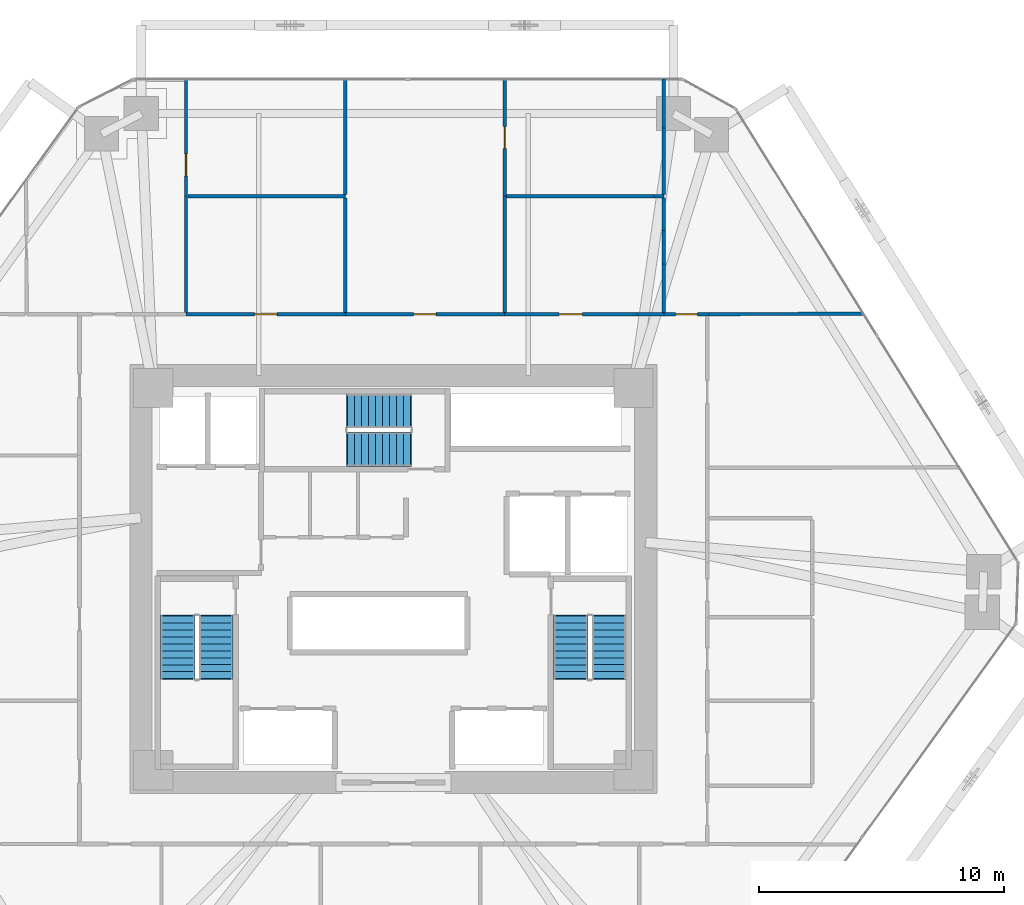
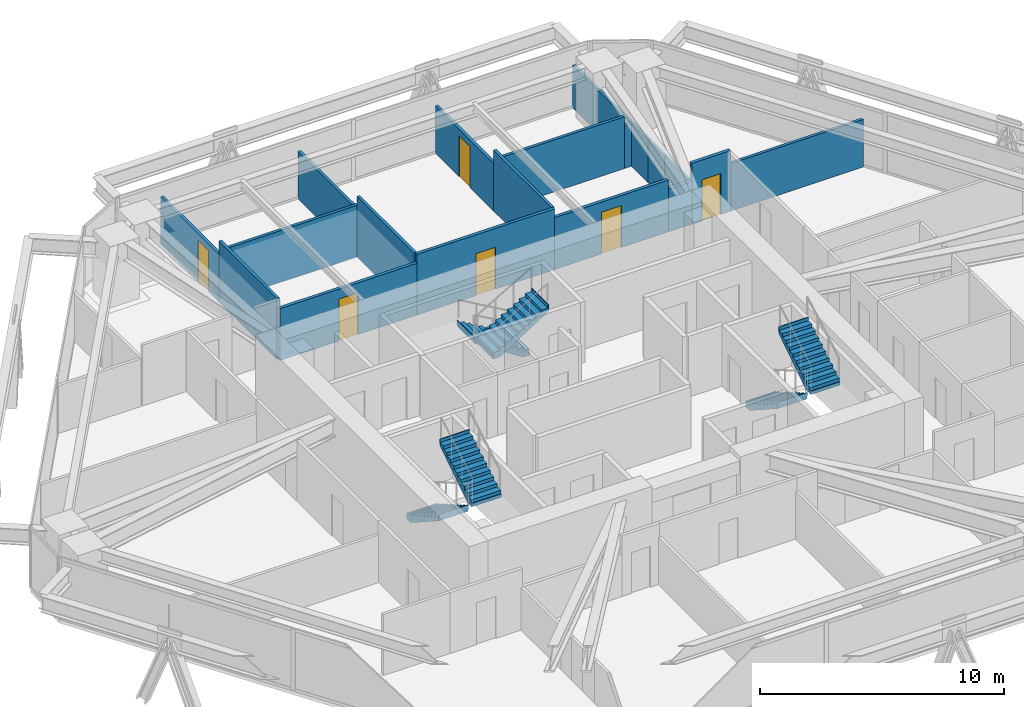
# One storey, part 16 of 17: 20 walls, 6 doors, 6 stair flights, 6 openings, 3 elements without a shape of their own.
"""IFC4 building model written with IfcOpenShell, lengths in metres."""

from ifc_helpers import new_model, si_unit, direction, frame, frame_2d, origin, place, context, subcontext, project, spatial, polyline, rectangle, outline, extrude, source, transform, mapped, material, layer, layer_set, type_object, type_shapes, element, fill, aggregate, save


model = new_model("IFC4")

# Units and contexts
model_context = context("Model", 3, precision=1e-05, world=origin(), true_north=direction((0.0, 1.0)))
body_context = subcontext(model_context, "Body", "Model", "MODEL_VIEW")
ifc_project = project(units=[si_unit("LENGTHUNIT", "METRE"), si_unit("AREAUNIT", "SQUARE_METRE"), si_unit("VOLUMEUNIT", "CUBIC_METRE"), si_unit("PLANEANGLEUNIT", "RADIAN"), si_unit("MASSUNIT", "GRAM", prefix="KILO")], contexts=[model_context])

# Site, building, storey
site_placement = place(None, origin())
site = spatial("IfcSite", under=ifc_project, at=site_placement, CompositionType="ELEMENT")
building_placement = place(site_placement, origin())
building = spatial("IfcBuilding", under=site, at=building_placement, Name="Durnholm Broadcast Tower", CompositionType="ELEMENT")
storey_placement = place(building_placement, frame((0.0, 0.0, 39.0)))
storey = spatial("IfcBuildingStorey", under=building, at=storey_placement, Name="L08", CompositionType="ELEMENT", Elevation=39.0)

# Wall
ifc_material_1 = material(Name="Gypsum Metal Stud Partition", Category="concrete")
ifc_layer_1 = layer(ifc_material_1, 0.135009765625)
ifc_layer_set_1 = layer_set([ifc_layer_1], Name="Gypsum Metal Stud Partition")
wall_type_1 = type_object("IfcWallType", Name="WALL-PART-135", PredefinedType="PARTITIONING", material=ifc_layer_set_1)
wall_1_placement = place(storey_placement, frame((-8.4599609375, 15.625, 0.0), z_axis=(0.0, 0.0, 1.0), x_axis=(0.0, -1.0, 0.0)))
element("IfcWall", 1, at=wall_1_placement, inside=storey, type_object=wall_type_1, Name="L08 room dividing partition 8.9", PredefinedType="PARTITIONING", context=body_context, shape_type="SweptSolid", body=[
    extrude(rectangle(XDim=4.736083984375, YDim=0.135009765625, at=frame_2d((2.3681640625, 0.0))), origin(), (0.0, 0.0, 1.0), 3.044921875),
])

# Wall, opening, door
wall_2_placement = place(storey_placement, frame((-8.4599609375, 20.39990234375, 0.0), z_axis=(0.0, 0.0, 1.0), x_axis=(0.0, -1.0, 0.0)))
wall_2 = element("IfcWall", 2, at=wall_2_placement, inside=storey, type_object=wall_type_1, Name="L08 room dividing partition 8.10", PredefinedType="PARTITIONING", context=body_context, shape_type="SweptSolid", body=[
    extrude(rectangle(XDim=4.77490234375, YDim=0.135009765625, at=frame_2d((2.387451171875, 0.0))), origin(), (0.0, 0.0, 1.0), 2.3798828125),
])
opening_1_placement = place(wall_2_placement, frame((3.050048828125, 0.0, 0.0)))
opening_1 = element("IfcOpeningElement", 3, at=opening_1_placement, cuts=wall_2, Name="Opening DW-90L", PredefinedType="OPENING", context=body_context, shape_type="SweptSolid", body=[
    extrude(rectangle(XDim=0.89990234375, YDim=2.050048828125, at=frame_2d((0.449951171875, 1.02490234375))), frame((0.0, 0.07763671875, 0.0), z_axis=(0.0, -1.0, 0.0), x_axis=(1.0, 0.0, 0.0)), (0.0, 0.0, 1.0), 0.155029296875),
])
ifc_material_2 = material(Name="Laminate Restroom Door", Category="steel")
ifc_layer_2 = layer(ifc_material_2, 0.050048828125)
ifc_layer_set_2 = layer_set([ifc_layer_2], Name="Laminate Restroom Door")
door_type_1 = type_object("IfcDoorType", Name="DOOR-WC-900L", OperationType="NOTDEFINED", PredefinedType="DOOR", material=ifc_layer_set_2)
shared_shape_1 = source(origin(), body_context, "Body", "SweptSolid", [
    extrude(rectangle(XDim=0.89990234375, YDim=2.050048828125, at=frame_2d((0.449951171875, 1.02490234375))), frame((0.0, 0.02490234375, 0.0), z_axis=(0.0, -1.0, 0.0), x_axis=(1.0, 0.0, 0.0)), (0.0, 0.0, 1.0), 0.050048828125),
])
type_shapes(door_type_1, [shared_shape_1])
door_1_placement = place(opening_1_placement, origin())
door_1 = element("IfcDoor", 4, at=door_1_placement, inside=storey, type_object=door_type_1, Name="L08 Audio Mix Office connecting door", OperationType="SINGLE_SWING_LEFT", OverallHeight=2.050048828125, OverallWidth=0.89990234375, PredefinedType="DOOR", context=body_context, shape_type="MappedRepresentation", body=[
    mapped(shared_shape_1, transform((0.0, 0.0, 0.0), x_axis=(1.0, 0.0, 0.0), y_axis=(0.0, 1.0, 0.0), z_axis=(0.0, 0.0, 1.0), scale=1.0)),
])
fill(opening_1, door_1)

# Walls
wall_3_placement = place(storey_placement, frame((-8.388427734375, 15.625, 0.0), z_axis=(0.0, 0.0, 1.0), x_axis=(1.0, 0.0, 0.0)))
element("IfcWall", 5, at=wall_3_placement, inside=storey, type_object=wall_type_1, Name="L08 room dividing partition 9.10", PredefinedType="PARTITIONING", context=body_context, shape_type="SweptSolid", body=[
    extrude(rectangle(XDim=6.428466796875, YDim=0.135009765625, at=frame_2d((3.21435546875, 0.0))), origin(), (0.0, 0.0, 1.0), 2.59765625),
])
wall_4_placement = place(storey_placement, frame((-1.9599609375, 15.553466796875, 0.0), z_axis=(0.0, 0.0, 1.0), x_axis=(0.0, -1.0, 0.0)))
element("IfcWall", 6, at=wall_4_placement, inside=storey, type_object=wall_type_1, Name="L08 room dividing partition 9.11", PredefinedType="PARTITIONING", context=body_context, shape_type="SweptSolid", body=[
    extrude(rectangle(XDim=4.66455078125, YDim=0.135009765625, at=frame_2d((2.332275390625, 0.0))), origin(), (0.0, 0.0, 1.0), 3.044921875),
])
wall_5_placement = place(storey_placement, frame((-1.9599609375, 20.39990234375, 0.0), z_axis=(0.0, 0.0, 1.0), x_axis=(0.0, -1.0, 0.0)))
element("IfcWall", 7, at=wall_5_placement, inside=storey, type_object=wall_type_1, Name="L08 room dividing partition 10.11", PredefinedType="PARTITIONING", context=body_context, shape_type="SweptSolid", body=[
    extrude(rectangle(XDim=4.703369140625, YDim=0.135009765625, at=frame_2d((2.3515625, 0.0))), origin(), (0.0, 0.0, 1.0), 2.3798828125),
])
wall_6_placement = place(storey_placement, frame((4.5400390625, 15.625, 0.0), z_axis=(0.0, 0.0, 1.0), x_axis=(0.0, -1.0, 0.0)))
element("IfcWall", 8, at=wall_6_placement, inside=storey, type_object=wall_type_1, Name="L08 room dividing partition 11.12", PredefinedType="PARTITIONING", context=body_context, shape_type="SweptSolid", body=[
    extrude(rectangle(XDim=4.736083984375, YDim=0.135009765625, at=frame_2d((2.3681640625, 0.0))), origin(), (0.0, 0.0, 1.0), 3.044921875),
])

# Wall, opening, door
wall_7_placement = place(storey_placement, frame((4.5400390625, 20.39990234375, 0.0), z_axis=(0.0, 0.0, 1.0), x_axis=(0.0, -1.0, 0.0)))
wall_7 = element("IfcWall", 9, at=wall_7_placement, inside=storey, type_object=wall_type_1, Name="L08 room dividing partition 11.13", PredefinedType="PARTITIONING", context=body_context, shape_type="SweptSolid", body=[
    extrude(rectangle(XDim=4.77490234375, YDim=0.135009765625, at=frame_2d((2.387451171875, 0.0))), origin(), (0.0, 0.0, 1.0), 2.3798828125),
])
opening_2_placement = place(wall_7_placement, frame((1.9375, 0.0, 0.0)))
opening_2 = element("IfcOpeningElement", 10, at=opening_2_placement, cuts=wall_7, Name="Opening DW-90L", PredefinedType="OPENING", context=body_context, shape_type="SweptSolid", body=[
    extrude(rectangle(XDim=0.89990234375, YDim=2.050048828125, at=frame_2d((0.449951171875, 1.02490234375))), frame((0.0, 0.07763671875, 0.0), z_axis=(0.0, -1.0, 0.0), x_axis=(1.0, 0.0, 0.0)), (0.0, 0.0, 1.0), 0.155029296875),
])
door_2_placement = place(opening_2_placement, origin())
door_2 = element("IfcDoor", 11, at=door_2_placement, inside=storey, type_object=door_type_1, Name="L08 Reporter Office 1 connecting door", OperationType="SINGLE_SWING_LEFT", OverallHeight=2.050048828125, OverallWidth=0.89990234375, PredefinedType="DOOR", context=body_context, shape_type="MappedRepresentation", body=[
    mapped(shared_shape_1, transform((0.0, 0.0, 0.0), x_axis=(1.0, 0.0, 0.0), y_axis=(0.0, 1.0, 0.0), z_axis=(0.0, 0.0, 1.0), scale=1.0)),
])
fill(opening_2, door_2)

# Walls
wall_8_placement = place(storey_placement, frame((4.611572265625, 15.625, 0.0), z_axis=(0.0, 0.0, 1.0), x_axis=(1.0, 0.0, 0.0)))
element("IfcWall", 12, at=wall_8_placement, inside=storey, type_object=wall_type_1, Name="L08 room dividing partition 12.13", PredefinedType="PARTITIONING", context=body_context, shape_type="SweptSolid", body=[
    extrude(rectangle(XDim=6.02294921875, YDim=0.135009765625, at=frame_2d((3.011474609375, 0.0))), origin(), (0.0, 0.0, 1.0), 2.59765625),
])
wall_9_placement = place(storey_placement, frame((10.634521484375, 15.625, 0.0), z_axis=(0.0, 0.0, 1.0), x_axis=(1.0, 0.0, 0.0)))
element("IfcWall", 13, at=wall_9_placement, inside=storey, type_object=wall_type_1, Name="L08 room dividing partition 12.13", PredefinedType="PARTITIONING", context=body_context, shape_type="SweptSolid", body=[
    extrude(rectangle(XDim=0.405517578125, YDim=0.135009765625, at=frame_2d((0.20263671875, 0.0))), origin(), (0.0, 0.0, 1.0), 2.130126953125),
])
wall_10_placement = place(storey_placement, frame((11.0400390625, 14.218505859375, 0.0), z_axis=(0.0, 0.0, 1.0), x_axis=(0.0, -1.0, 0.0)))
element("IfcWall", 14, at=wall_10_placement, inside=storey, type_object=wall_type_1, Name="L08 room dividing partition 12.14", PredefinedType="PARTITIONING", context=body_context, shape_type="SweptSolid", body=[
    extrude(rectangle(XDim=1.3642578125, YDim=0.135009765625, at=frame_2d((0.68212890625, 0.0))), origin(), (0.0, 0.0, 1.0), 2.130126953125),
])
wall_11_placement = place(storey_placement, frame((11.0400390625, 15.553466796875, 0.0), z_axis=(0.0, 0.0, 1.0), x_axis=(0.0, -1.0, 0.0)))
element("IfcWall", 15, at=wall_11_placement, inside=storey, type_object=wall_type_1, Name="L08 room dividing partition 12.14", PredefinedType="PARTITIONING", context=body_context, shape_type="SweptSolid", body=[
    extrude(rectangle(XDim=1.3349609375, YDim=0.135009765625, at=frame_2d((0.66748046875, 0.0))), origin(), (0.0, 0.0, 1.0), 2.130126953125),
])
wall_12_placement = place(storey_placement, frame((11.0400390625, 12.854248046875, 0.0), z_axis=(0.0, 0.0, 1.0), x_axis=(0.0, -1.0, 0.0)))
element("IfcWall", 16, at=wall_12_placement, inside=storey, type_object=wall_type_1, Name="L08 room dividing partition 12.14", PredefinedType="PARTITIONING", context=body_context, shape_type="SweptSolid", body=[
    extrude(rectangle(XDim=1.96533203125, YDim=0.135009765625, at=frame_2d((0.982666015625, 0.0))), origin(), (0.0, 0.0, 1.0), 2.130126953125),
])
wall_13_placement = place(storey_placement, frame((11.0400390625, 20.39990234375, 0.0), z_axis=(0.0, 0.0, 1.0), x_axis=(0.0, -1.0, 0.0)))
element("IfcWall", 17, at=wall_13_placement, inside=storey, type_object=wall_type_1, Name="L08 room dividing partition 13.14", PredefinedType="PARTITIONING", context=body_context, shape_type="SweptSolid", body=[
    extrude(rectangle(XDim=1.990478515625, YDim=0.135009765625, at=frame_2d((0.9951171875, 0.0))), origin(), (0.0, 0.0, 1.0), 2.130126953125),
])
wall_14_placement = place(storey_placement, frame((11.0400390625, 18.409423828125, 0.0), z_axis=(0.0, 0.0, 1.0), x_axis=(0.0, -1.0, 0.0)))
element("IfcWall", 18, at=wall_14_placement, inside=storey, type_object=wall_type_1, Name="L08 room dividing partition 13.14", PredefinedType="PARTITIONING", context=body_context, shape_type="SweptSolid", body=[
    extrude(rectangle(XDim=2.712890625, YDim=0.135009765625, at=frame_2d((1.3564453125, 0.0))), origin(), (0.0, 0.0, 1.0), 2.130126953125),
])
wall_15_placement = place(storey_placement, frame((19.18212890625, 10.831298828125, 0.0), z_axis=(0.0, 0.0, 1.0), x_axis=(-0.999994432845, -0.003336806783, 0.0)))
element("IfcWall", 19, at=wall_15_placement, inside=storey, type_object=wall_type_1, Name="L08 room dividing partition 14.24", PredefinedType="PARTITIONING", context=body_context, shape_type="SweptSolid", body=[
    extrude(rectangle(XDim=6.292236328125, YDim=0.135009765625, at=frame_2d((3.14599609375, 0.0))), origin(), (0.0, 0.0, 1.0), 2.3798828125),
])

# Wall, opening, door
ifc_material_3 = material(Name="Acoustic Gypsum Stud Partition", Category="concrete")
ifc_layer_3 = layer(ifc_material_3, 0.14990234375)
ifc_layer_set_3 = layer_set([ifc_layer_3], Name="Acoustic Gypsum Stud Partition")
wall_type_2 = type_object("IfcWallType", Name="WALL-PART-150", PredefinedType="PARTITIONING", material=ifc_layer_set_3)
wall_16_placement = place(storey_placement, frame((-1.9599609375, 10.81005859375, 0.0), z_axis=(0.0, 0.0, 1.0), x_axis=(-1.0, 0.0, 0.0)))
wall_16 = element("IfcWall", 20, at=wall_16_placement, inside=storey, type_object=wall_type_2, Name="L08 Color Timing Office corridor partition", PredefinedType="PARTITIONING", context=body_context, shape_type="SweptSolid", body=[
    extrude(rectangle(XDim=6.5, YDim=0.14990234375, at=frame_2d((3.25, 0.0))), origin(), (0.0, 0.0, 1.0), 2.59765625),
])
opening_3_placement = place(wall_16_placement, frame((2.7900390625, 0.0, 0.0)))
opening_3 = element("IfcOpeningElement", 21, at=opening_3_placement, cuts=wall_16, Name="Opening DR-92R", PredefinedType="OPENING", context=body_context, shape_type="SweptSolid", body=[
    extrude(rectangle(XDim=0.919921875, YDim=2.10009765625, at=frame_2d((0.4599609375, 1.050048828125))), frame((0.0, 0.0849609375, 0.0), z_axis=(0.0, -1.0, 0.0), x_axis=(1.0, 0.0, 0.0)), (0.0, 0.0, 1.0), 0.169921875),
])
ifc_material_4 = material(Name="Oak Veneer Office Door", Category="wood")
ifc_layer_4 = layer(ifc_material_4, 0.050048828125)
ifc_layer_set_4 = layer_set([ifc_layer_4], Name="Oak Veneer Office Door")
door_type_2 = type_object("IfcDoorType", Name="DOOR-RM-920R", OperationType="NOTDEFINED", PredefinedType="DOOR", material=ifc_layer_set_4)
shared_shape_2 = source(origin(), body_context, "Body", "SweptSolid", [
    extrude(rectangle(XDim=0.919921875, YDim=2.10009765625, at=frame_2d((0.4599609375, 1.050048828125))), frame((0.0, 0.02490234375, 0.0), z_axis=(0.0, -1.0, 0.0), x_axis=(1.0, 0.0, 0.0)), (0.0, 0.0, 1.0), 0.050048828125),
])
type_shapes(door_type_2, [shared_shape_2])
door_3_placement = place(opening_3_placement, origin())
door_3 = element("IfcDoor", 22, at=door_3_placement, inside=storey, type_object=door_type_2, Name="L08 Color Timing Office entrance door", OperationType="SINGLE_SWING_RIGHT", OverallHeight=2.10009765625, OverallWidth=0.919921875, PredefinedType="DOOR", context=body_context, shape_type="MappedRepresentation", body=[
    mapped(shared_shape_2, transform((0.0, 0.0, 0.0), x_axis=(1.0, 0.0, 0.0), y_axis=(0.0, 1.0, 0.0), z_axis=(0.0, 0.0, 1.0), scale=1.0)),
])
fill(opening_3, door_3)

wall_17_placement = place(storey_placement, frame((4.5400390625, 10.81005859375, 0.0), z_axis=(0.0, 0.0, 1.0), x_axis=(-1.0, 0.0, 0.0)))
wall_17 = element("IfcWall", 23, at=wall_17_placement, inside=storey, type_object=wall_type_2, Name="L08 Senior Editor Office corridor partition", PredefinedType="PARTITIONING", context=body_context, shape_type="SweptSolid", body=[
    extrude(rectangle(XDim=6.5, YDim=0.14990234375, at=frame_2d((3.25, 0.0))), origin(), (0.0, 0.0, 1.0), 3.044921875),
])
opening_4_placement = place(wall_17_placement, frame((2.7900390625, 0.0, 0.0)))
opening_4 = element("IfcOpeningElement", 24, at=opening_4_placement, cuts=wall_17, Name="Opening DR-92L", PredefinedType="OPENING", context=body_context, shape_type="SweptSolid", body=[
    extrude(rectangle(XDim=0.919921875, YDim=2.10009765625, at=frame_2d((0.4599609375, 1.050048828125))), frame((0.0, 0.0849609375, 0.0), z_axis=(0.0, -1.0, 0.0), x_axis=(1.0, 0.0, 0.0)), (0.0, 0.0, 1.0), 0.169921875),
])
ifc_layer_5 = layer(ifc_material_4, 0.050048828125)
ifc_layer_set_5 = layer_set([ifc_layer_5], Name="Oak Veneer Office Door")
door_type_3 = type_object("IfcDoorType", Name="DOOR-RM-920L", OperationType="NOTDEFINED", PredefinedType="DOOR", material=ifc_layer_set_5)
shared_shape_3 = source(origin(), body_context, "Body", "SweptSolid", [
    extrude(rectangle(XDim=0.919921875, YDim=2.10009765625, at=frame_2d((0.4599609375, 1.050048828125))), frame((0.0, 0.02490234375, 0.0), z_axis=(0.0, -1.0, 0.0), x_axis=(1.0, 0.0, 0.0)), (0.0, 0.0, 1.0), 0.050048828125),
])
type_shapes(door_type_3, [shared_shape_3])
door_4_placement = place(opening_4_placement, origin())
door_4 = element("IfcDoor", 25, at=door_4_placement, inside=storey, type_object=door_type_3, Name="L08 Senior Editor Office entrance door", OperationType="SINGLE_SWING_LEFT", OverallHeight=2.10009765625, OverallWidth=0.919921875, PredefinedType="DOOR", context=body_context, shape_type="MappedRepresentation", body=[
    mapped(shared_shape_3, transform((0.0, 0.0, 0.0), x_axis=(1.0, 0.0, 0.0), y_axis=(0.0, 1.0, 0.0), z_axis=(0.0, 0.0, 1.0), scale=1.0)),
])
fill(opening_4, door_4)

wall_18_placement = place(storey_placement, frame((9.93310546875, 10.81005859375, 0.0), z_axis=(0.0, 0.0, 1.0), x_axis=(-1.0, 0.0, 0.0)))
wall_18 = element("IfcWall", 26, at=wall_18_placement, inside=storey, type_object=wall_type_2, Name="L08 Anchor Prep Office corridor partition", PredefinedType="PARTITIONING", context=body_context, shape_type="SweptSolid", body=[
    extrude(rectangle(XDim=5.39306640625, YDim=0.14990234375, at=frame_2d((2.696533203125, 0.0))), origin(), (0.0, 0.0, 1.0), 2.59765625),
])
opening_5_placement = place(wall_18_placement, frame((2.2216796875, 0.0, 0.0)))
opening_5 = element("IfcOpeningElement", 27, at=opening_5_placement, cuts=wall_18, Name="Opening DR-95R", PredefinedType="OPENING", context=body_context, shape_type="SweptSolid", body=[
    extrude(rectangle(XDim=0.949951171875, YDim=2.10009765625, at=frame_2d((0.47509765625, 1.050048828125))), frame((0.0, 0.0849609375, 0.0), z_axis=(0.0, -1.0, 0.0), x_axis=(1.0, 0.0, 0.0)), (0.0, 0.0, 1.0), 0.169921875),
])
ifc_material_5 = material(Name="Acoustic Oak Veneer Timber Door", Category="wood")
ifc_layer_6 = layer(ifc_material_5, 0.050048828125)
ifc_layer_set_6 = layer_set([ifc_layer_6], Name="Acoustic Oak Veneer Timber Door")
door_type_4 = type_object("IfcDoorType", Name="DOOR-RM-950R", OperationType="NOTDEFINED", PredefinedType="DOOR", material=ifc_layer_set_6)
shared_shape_4 = source(origin(), body_context, "Body", "SweptSolid", [
    extrude(rectangle(XDim=0.949951171875, YDim=2.10009765625, at=frame_2d((0.47509765625, 1.050048828125))), frame((0.0, 0.02490234375, 0.0), z_axis=(0.0, -1.0, 0.0), x_axis=(1.0, 0.0, 0.0)), (0.0, 0.0, 1.0), 0.050048828125),
])
type_shapes(door_type_4, [shared_shape_4])
door_5_placement = place(opening_5_placement, origin())
door_5 = element("IfcDoor", 28, at=door_5_placement, inside=storey, type_object=door_type_4, Name="L08 Anchor Prep Office entrance door", OperationType="SINGLE_SWING_RIGHT", OverallHeight=2.10009765625, OverallWidth=0.949951171875, PredefinedType="DOOR", context=body_context, shape_type="MappedRepresentation", body=[
    mapped(shared_shape_4, transform((0.0, 0.0, 0.0), x_axis=(1.0, 0.0, 0.0), y_axis=(0.0, 1.0, 0.0), z_axis=(0.0, 0.0, 1.0), scale=1.0)),
])
fill(opening_5, door_5)

# Wall
wall_19_placement = place(storey_placement, frame((11.0400390625, 10.81005859375, 0.0), z_axis=(0.0, 0.0, 1.0), x_axis=(-1.0, 0.0, 0.0)))
element("IfcWall", 29, at=wall_19_placement, inside=storey, type_object=wall_type_2, Name="L08 Anchor Prep Office corridor partition", PredefinedType="PARTITIONING", context=body_context, shape_type="SweptSolid", body=[
    extrude(rectangle(XDim=1.10693359375, YDim=0.14990234375, at=frame_2d((0.553466796875, 0.0))), origin(), (0.0, 0.0, 1.0), 2.130126953125),
])

# Wall, opening, door
wall_20_placement = place(storey_placement, frame((12.889892578125, 10.81005859375, 0.0), z_axis=(0.0, 0.0, 1.0), x_axis=(-1.0, 0.0, 0.0)))
wall_20 = element("IfcWall", 30, at=wall_20_placement, inside=storey, type_object=wall_type_2, Name="L08 Reporter Office 2 corridor partition", PredefinedType="PARTITIONING", context=body_context, shape_type="SweptSolid", body=[
    extrude(rectangle(XDim=1.847412109375, YDim=0.14990234375, at=frame_2d((0.923828125, 0.0))), origin(), (0.0, 0.0, 1.0), 3.044921875),
])
opening_6_placement = place(wall_20_placement, frame((0.4736328125, 0.0, 0.0)))
opening_6 = element("IfcOpeningElement", 31, at=opening_6_placement, cuts=wall_20, Name="Opening DW-90L", PredefinedType="OPENING", context=body_context, shape_type="SweptSolid", body=[
    extrude(rectangle(XDim=0.89990234375, YDim=2.050048828125, at=frame_2d((0.449951171875, 1.02490234375))), frame((0.0, 0.0849609375, 0.0), z_axis=(0.0, -1.0, 0.0), x_axis=(1.0, 0.0, 0.0)), (0.0, 0.0, 1.0), 0.169921875),
])
door_6_placement = place(opening_6_placement, origin())
door_6 = element("IfcDoor", 32, at=door_6_placement, inside=storey, type_object=door_type_1, Name="L08 Reporter Office 2 entrance door", OperationType="SINGLE_SWING_LEFT", OverallHeight=2.050048828125, OverallWidth=0.89990234375, PredefinedType="DOOR", context=body_context, shape_type="MappedRepresentation", body=[
    mapped(shared_shape_1, transform((0.0, 0.0, 0.0), x_axis=(1.0, 0.0, 0.0), y_axis=(0.0, 1.0, 0.0), z_axis=(0.0, 0.0, 1.0), scale=1.0)),
])
fill(opening_6, door_6)

# Stair, stair flights
ifc_material_6 = material(Name="Concrete C50/60", Category="concrete")
stair_type = type_object("IfcStairType", Name="STAIR-DL-20R1650", PredefinedType="HALF_TURN_STAIR", material=ifc_material_6)
stair_1_placement = place(storey_placement, origin())
stair_1 = element("IfcStair", 33, at=stair_1_placement, inside=storey, type_object=stair_type, Name="L08 ST-1", PredefinedType="HALF_TURN_STAIR")
stair_flight_type = type_object("IfcStairFlightType", Name="FLIGHT-DL-20R1650", PredefinedType="STRAIGHT", material=ifc_material_6)
stair_flight_1_placement = place(storey_placement, frame((-8.800048828125, -1.5, 0.0), z_axis=(0.0, 0.0, 1.0), x_axis=(0.0, -1.0, 0.0)))
stair_flight_1 = element("IfcStairFlight", 34, at=stair_flight_1_placement, type_object=stair_flight_type, Name="ST-1 flight 1", NumberOfRisers=10, NumberOfTreads=9, PredefinedType="STRAIGHT", RiserHeight=0.165, TreadLength=0.285, context=body_context, shape_type="SweptSolid", body=[
    extrude(outline(polyline([(-0.0400390625, -0.14990234375), (-0.0400390625, 0.0), (0.0, 0.0), (0.0, 0.1650390625), (0.284912109375, 0.1650390625), (0.284912109375, 0.330078125), (0.570068359375, 0.330078125), (0.570068359375, 0.4951171875), (0.85498046875, 0.4951171875), (0.85498046875, 0.659912109375), (1.139892578125, 0.659912109375), (1.139892578125, 0.824951171875), (1.425048828125, 0.824951171875), (1.425048828125, 0.989990234375), (1.7099609375, 0.989990234375), (1.7099609375, 1.155029296875), (1.9951171875, 1.155029296875), (1.9951171875, 1.320068359375), (2.280029296875, 1.320068359375), (2.280029296875, 1.485107421875), (2.56494140625, 1.485107421875), (2.56494140625, 1.64990234375), (2.60498046875, 1.64990234375), (2.60498046875, 1.5), (2.56494140625, 1.311767578125), (0.299072265625, -0.14990234375), (-0.0400390625, -0.14990234375)])), frame((0.0, 0.699951171875, 0.0), z_axis=(0.0, -1.0, 0.0), x_axis=(1.0, 0.0, 0.0)), (0.0, 0.0, 1.0), 1.39990234375),
])
stair_flight_2_placement = place(storey_placement, frame((-7.239990234375, -4.06494140625, 1.64990234375), z_axis=(0.0, 0.0, 1.0), x_axis=(0.0, 1.0, 0.0)))
stair_flight_2 = element("IfcStairFlight", 35, at=stair_flight_2_placement, type_object=stair_flight_type, Name="ST-1 flight 2", NumberOfRisers=10, NumberOfTreads=9, PredefinedType="STRAIGHT", RiserHeight=0.165, TreadLength=0.285, context=body_context, shape_type="SweptSolid", body=[
    extrude(outline(polyline([(-0.0400390625, -0.14990234375), (-0.0400390625, 0.0), (0.0, 0.0), (0.0, 0.1650390625), (0.284912109375, 0.1650390625), (0.284912109375, 0.330078125), (0.570068359375, 0.330078125), (0.570068359375, 0.4951171875), (0.85498046875, 0.4951171875), (0.85498046875, 0.659912109375), (1.139892578125, 0.659912109375), (1.139892578125, 0.824951171875), (1.425048828125, 0.824951171875), (1.425048828125, 0.989990234375), (1.7099609375, 0.989990234375), (1.7099609375, 1.155029296875), (1.9951171875, 1.155029296875), (1.9951171875, 1.320068359375), (2.280029296875, 1.320068359375), (2.280029296875, 1.485107421875), (2.56494140625, 1.485107421875), (2.56494140625, 1.64990234375), (2.60498046875, 1.64990234375), (2.60498046875, 1.5), (2.56494140625, 1.311767578125), (0.299072265625, -0.14990234375), (-0.0400390625, -0.14990234375)])), frame((0.0, 0.699951171875, 0.0), z_axis=(0.0, -1.0, 0.0), x_axis=(1.0, 0.0, 0.0)), (0.0, 0.0, 1.0), 1.39990234375),
])
aggregate(stair_1, [stair_flight_1, stair_flight_2])

stair_2_placement = place(storey_placement, origin())
stair_2 = element("IfcStair", 36, at=stair_2_placement, inside=storey, type_object=stair_type, Name="L08 ST-2", PredefinedType="HALF_TURN_STAIR")
stair_flight_3_placement = place(storey_placement, frame((7.239990234375, -1.5, 0.0), z_axis=(0.0, 0.0, 1.0), x_axis=(0.0, -1.0, 0.0)))
stair_flight_3 = element("IfcStairFlight", 37, at=stair_flight_3_placement, type_object=stair_flight_type, Name="ST-2 flight 1", NumberOfRisers=10, NumberOfTreads=9, PredefinedType="STRAIGHT", RiserHeight=0.165, TreadLength=0.285, context=body_context, shape_type="SweptSolid", body=[
    extrude(outline(polyline([(-0.0400390625, -0.14990234375), (-0.0400390625, 0.0), (0.0, 0.0), (0.0, 0.1650390625), (0.284912109375, 0.1650390625), (0.284912109375, 0.330078125), (0.570068359375, 0.330078125), (0.570068359375, 0.4951171875), (0.85498046875, 0.4951171875), (0.85498046875, 0.659912109375), (1.139892578125, 0.659912109375), (1.139892578125, 0.824951171875), (1.425048828125, 0.824951171875), (1.425048828125, 0.989990234375), (1.7099609375, 0.989990234375), (1.7099609375, 1.155029296875), (1.9951171875, 1.155029296875), (1.9951171875, 1.320068359375), (2.280029296875, 1.320068359375), (2.280029296875, 1.485107421875), (2.56494140625, 1.485107421875), (2.56494140625, 1.64990234375), (2.60498046875, 1.64990234375), (2.60498046875, 1.5), (2.56494140625, 1.311767578125), (0.299072265625, -0.14990234375), (-0.0400390625, -0.14990234375)])), frame((0.0, 0.699951171875, 0.0), z_axis=(0.0, -1.0, 0.0), x_axis=(1.0, 0.0, 0.0)), (0.0, 0.0, 1.0), 1.39990234375),
])
stair_flight_4_placement = place(storey_placement, frame((8.800048828125, -4.06494140625, 1.64990234375), z_axis=(0.0, 0.0, 1.0), x_axis=(0.0, 1.0, 0.0)))
stair_flight_4 = element("IfcStairFlight", 38, at=stair_flight_4_placement, type_object=stair_flight_type, Name="ST-2 flight 2", NumberOfRisers=10, NumberOfTreads=9, PredefinedType="STRAIGHT", RiserHeight=0.165, TreadLength=0.285, context=body_context, shape_type="SweptSolid", body=[
    extrude(outline(polyline([(-0.0400390625, -0.14990234375), (-0.0400390625, 0.0), (0.0, 0.0), (0.0, 0.1650390625), (0.284912109375, 0.1650390625), (0.284912109375, 0.330078125), (0.570068359375, 0.330078125), (0.570068359375, 0.4951171875), (0.85498046875, 0.4951171875), (0.85498046875, 0.659912109375), (1.139892578125, 0.659912109375), (1.139892578125, 0.824951171875), (1.425048828125, 0.824951171875), (1.425048828125, 0.989990234375), (1.7099609375, 0.989990234375), (1.7099609375, 1.155029296875), (1.9951171875, 1.155029296875), (1.9951171875, 1.320068359375), (2.280029296875, 1.320068359375), (2.280029296875, 1.485107421875), (2.56494140625, 1.485107421875), (2.56494140625, 1.64990234375), (2.60498046875, 1.64990234375), (2.60498046875, 1.5), (2.56494140625, 1.311767578125), (0.299072265625, -0.14990234375), (-0.0400390625, -0.14990234375)])), frame((0.0, 0.699951171875, 0.0), z_axis=(0.0, -1.0, 0.0), x_axis=(1.0, 0.0, 0.0)), (0.0, 0.0, 1.0), 1.39990234375),
])
aggregate(stair_2, [stair_flight_3, stair_flight_4])

stair_3_placement = place(storey_placement, origin())
stair_3 = element("IfcStair", 39, at=stair_3_placement, inside=storey, type_object=stair_type, Name="L08 ST-3", PredefinedType="HALF_TURN_STAIR")
stair_flight_5_placement = place(storey_placement, frame((0.699951171875, 6.860107421875, 0.0), z_axis=(0.0, 0.0, 1.0), x_axis=(-1.0, 0.0, 0.0)))
stair_flight_5 = element("IfcStairFlight", 40, at=stair_flight_5_placement, type_object=stair_flight_type, Name="ST-3 flight 1", NumberOfRisers=10, NumberOfTreads=9, PredefinedType="STRAIGHT", RiserHeight=0.165, TreadLength=0.285, context=body_context, shape_type="SweptSolid", body=[
    extrude(outline(polyline([(-0.0400390625, -0.14990234375), (-0.0400390625, 0.0), (0.0, 0.0), (0.0, 0.1650390625), (0.284912109375, 0.1650390625), (0.284912109375, 0.330078125), (0.570068359375, 0.330078125), (0.570068359375, 0.4951171875), (0.85498046875, 0.4951171875), (0.85498046875, 0.659912109375), (1.139892578125, 0.659912109375), (1.139892578125, 0.824951171875), (1.425048828125, 0.824951171875), (1.425048828125, 0.989990234375), (1.7099609375, 0.989990234375), (1.7099609375, 1.155029296875), (1.9951171875, 1.155029296875), (1.9951171875, 1.320068359375), (2.280029296875, 1.320068359375), (2.280029296875, 1.485107421875), (2.56494140625, 1.485107421875), (2.56494140625, 1.64990234375), (2.60498046875, 1.64990234375), (2.60498046875, 1.5), (2.56494140625, 1.311767578125), (0.299072265625, -0.14990234375), (-0.0400390625, -0.14990234375)])), frame((0.0, 0.699951171875, 0.0), z_axis=(0.0, -1.0, 0.0), x_axis=(1.0, 0.0, 0.0)), (0.0, 0.0, 1.0), 1.39990234375),
])
stair_flight_6_placement = place(storey_placement, frame((-1.864990234375, 5.300048828125, 1.64990234375), z_axis=(0.0, 0.0, 1.0), x_axis=(1.0, 0.0, 0.0)))
stair_flight_6 = element("IfcStairFlight", 41, at=stair_flight_6_placement, type_object=stair_flight_type, Name="ST-3 flight 2", NumberOfRisers=10, NumberOfTreads=9, PredefinedType="STRAIGHT", RiserHeight=0.165, TreadLength=0.285, context=body_context, shape_type="SweptSolid", body=[
    extrude(outline(polyline([(-0.0400390625, -0.14990234375), (-0.0400390625, 0.0), (0.0, 0.0), (0.0, 0.1650390625), (0.284912109375, 0.1650390625), (0.284912109375, 0.330078125), (0.570068359375, 0.330078125), (0.570068359375, 0.4951171875), (0.85498046875, 0.4951171875), (0.85498046875, 0.659912109375), (1.139892578125, 0.659912109375), (1.139892578125, 0.824951171875), (1.425048828125, 0.824951171875), (1.425048828125, 0.989990234375), (1.7099609375, 0.989990234375), (1.7099609375, 1.155029296875), (1.9951171875, 1.155029296875), (1.9951171875, 1.320068359375), (2.280029296875, 1.320068359375), (2.280029296875, 1.485107421875), (2.56494140625, 1.485107421875), (2.56494140625, 1.64990234375), (2.60498046875, 1.64990234375), (2.60498046875, 1.5), (2.56494140625, 1.311767578125), (0.299072265625, -0.14990234375), (-0.0400390625, -0.14990234375)])), frame((0.0, 0.699951171875, 0.0), z_axis=(0.0, -1.0, 0.0), x_axis=(1.0, 0.0, 0.0)), (0.0, 0.0, 1.0), 1.39990234375),
])
aggregate(stair_3, [stair_flight_5, stair_flight_6])

save(model, "model.ifc")
